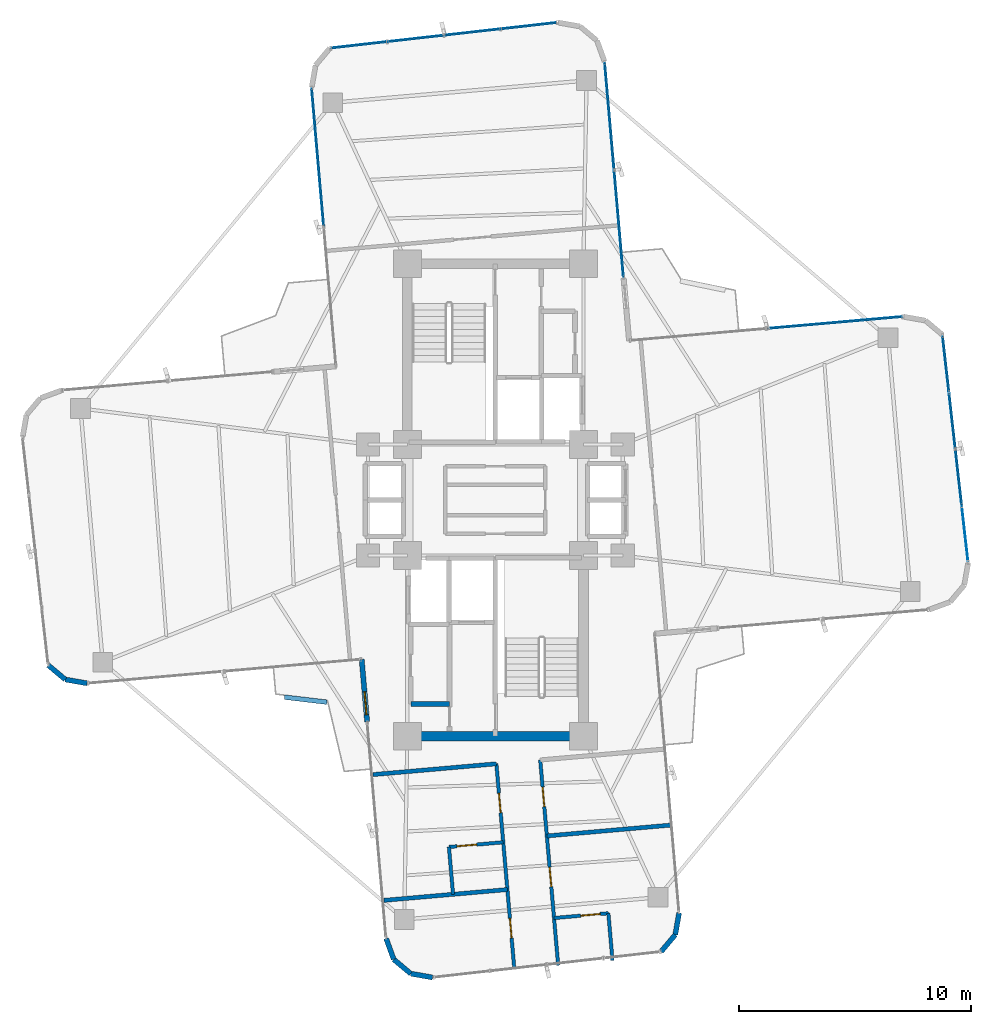
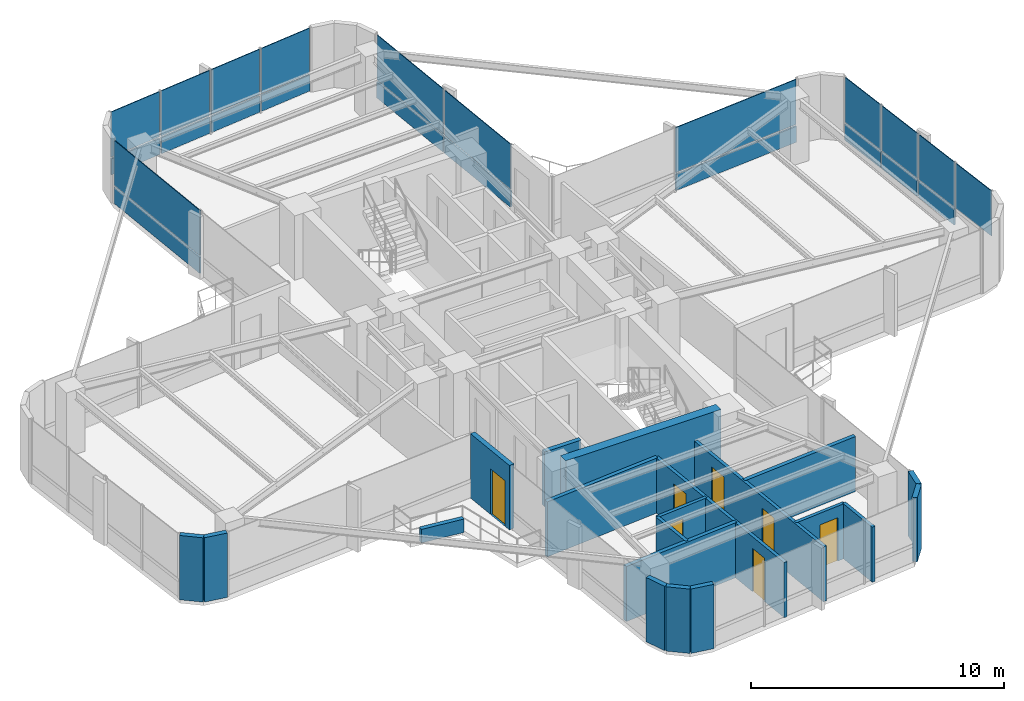
# One storey, part 20 of 24: 23 plates, 20 walls, 7 doors, 7 openings, 5 elements without a shape of their own.
"""IFC4 building model written with IfcOpenShell, lengths in metres."""

from ifc_helpers import new_model, si_unit, direction, frame, frame_2d, origin, origin_2d, place, context, subcontext, project, spatial, rectangle, extrude, source, transform, mapped, material, layer, layer_set, type_object, element, fill, aggregate, save


model = new_model("IFC4")

# Units and contexts
model_context = context("Model", 3, precision=1e-05, world=origin(), true_north=direction((0.0, 1.0)))
body_context = subcontext(model_context, "Body", "Model", "MODEL_VIEW")
ifc_project = project(units=[si_unit("LENGTHUNIT", "METRE"), si_unit("AREAUNIT", "SQUARE_METRE"), si_unit("VOLUMEUNIT", "CUBIC_METRE"), si_unit("PLANEANGLEUNIT", "RADIAN"), si_unit("MASSUNIT", "GRAM", prefix="KILO")], contexts=[model_context])

# Site, building, storey
site_placement = place(None, origin())
site = spatial("IfcSite", under=ifc_project, at=site_placement, CompositionType="ELEMENT")
building_placement = place(site_placement, origin())
building = spatial("IfcBuilding", under=site, at=building_placement, Name="Sahyath Konkavel Grand Hotel", CompositionType="ELEMENT")
storey_placement = place(building_placement, frame((0.0, 0.0, 185.25)))
storey = spatial("IfcBuildingStorey", under=building, at=storey_placement, Name="L51", CompositionType="ELEMENT", Elevation=185.25)

# Curtain wall, plates
ifc_material_1 = material(Name="Anodised Bronze Aluminium & Low-E Glazing", Category="aluminium")
curtain_wall_type = type_object("IfcCurtainWallType", Name="CW-ZONE3", PredefinedType="NOTDEFINED", material=ifc_material_1)
curtain_wall_1_placement = place(storey_placement, origin())
curtain_wall_1 = element("IfcCurtainWall", 1, at=curtain_wall_1_placement, inside=storey, type_object=curtain_wall_type, Name="L51 Unitised Curtain Wall F4", PredefinedType="NOTDEFINED")
ifc_material_2 = material(Name="Warm Buff Sandstone Cladding", Category="masonry")
ifc_layer_1 = layer(ifc_material_2, 0.074951171875)
ifc_layer_set_1 = layer_set([ifc_layer_1], Name="Warm Buff Sandstone Cladding")
plate_type_1 = type_object("IfcPlateType", Name="PNL-SPANDREL-STONE", PredefinedType="SHEET", material=ifc_layer_set_1)
shared_shape_1 = source(origin(), body_context, "Body", "SweptSolid", [
    extrude(rectangle(XDim=2.382080078125, YDim=0.074951171875, at=origin_2d()), origin(), (0.0, 0.0, 1.0), 0.77001953125),
])
plate_1_placement = place(storey_placement, frame((19.99755859375, 0.978515625, 0.0400390625), z_axis=(0.0, 0.0, 1.0), x_axis=(-0.111989252568, 0.993709417943, 0.0)))
plate_1 = element("IfcPlate", 2, at=plate_1_placement, type_object=plate_type_1, Name="L51 Sandstone Relief Spandrel Panel F4-1", PredefinedType="SHEET", context=body_context, shape_type="MappedRepresentation", body=[
    mapped(shared_shape_1, transform((0.0, 0.0, 0.0), scale=1.0)),
])
plate_2_placement = place(storey_placement, frame((19.7216796875, 3.425048828125, 0.0400390625), z_axis=(0.0, 0.0, 1.0), x_axis=(-0.111989252568, 0.993709417943, 0.0)))
plate_2 = element("IfcPlate", 3, at=plate_2_placement, type_object=plate_type_1, Name="L51 Sandstone Relief Spandrel Panel F4-2", PredefinedType="SHEET", context=body_context, shape_type="MappedRepresentation", body=[
    mapped(shared_shape_1, transform((0.0, 0.0, 0.0), scale=1.0)),
])
plate_3_placement = place(storey_placement, frame((19.446044921875, 5.87158203125, 0.0400390625), z_axis=(0.0, 0.0, 1.0), x_axis=(-0.111989252568, 0.993709417943, 0.0)))
plate_3 = element("IfcPlate", 4, at=plate_3_placement, type_object=plate_type_1, Name="L51 Sandstone Relief Spandrel Panel F4-3", PredefinedType="SHEET", context=body_context, shape_type="MappedRepresentation", body=[
    mapped(shared_shape_1, transform((0.0, 0.0, 0.0), scale=1.0)),
])

curtain_wall_2_placement = place(storey_placement, origin())
curtain_wall_2 = element("IfcCurtainWall", 5, at=curtain_wall_2_placement, inside=storey, type_object=curtain_wall_type, Name="L51 Unitised Curtain Wall F12", PredefinedType="NOTDEFINED")
plate_4_placement = place(storey_placement, frame((1.45068359375, 20.47265625, 0.0400390625), z_axis=(0.0, 0.0, 1.0), x_axis=(-0.993707463211, -0.112006596052, 0.0)))
plate_4 = element("IfcPlate", 6, at=plate_4_placement, type_object=plate_type_1, Name="L51 Sandstone Relief Spandrel Panel F12-0", PredefinedType="SHEET", context=body_context, shape_type="MappedRepresentation", body=[
    mapped(shared_shape_1, transform((0.0, 0.0, 0.0), scale=1.0)),
])
plate_5_placement = place(storey_placement, frame((-0.995849609375, 20.197021484375, 0.0400390625), z_axis=(0.0, 0.0, 1.0), x_axis=(-0.993707463211, -0.112006596052, 0.0)))
plate_5 = element("IfcPlate", 7, at=plate_5_placement, type_object=plate_type_1, Name="L51 Sandstone Relief Spandrel Panel F12-1", PredefinedType="SHEET", context=body_context, shape_type="MappedRepresentation", body=[
    mapped(shared_shape_1, transform((0.0, 0.0, 0.0), scale=1.0)),
])
plate_6_placement = place(storey_placement, frame((-3.4423828125, 19.921142578125, 0.0400390625), z_axis=(0.0, 0.0, 1.0), x_axis=(-0.993707463211, -0.112006596052, 0.0)))
plate_6 = element("IfcPlate", 8, at=plate_6_placement, type_object=plate_type_1, Name="L51 Sandstone Relief Spandrel Panel F12-2", PredefinedType="SHEET", context=body_context, shape_type="MappedRepresentation", body=[
    mapped(shared_shape_1, transform((0.0, 0.0, 0.0), scale=1.0)),
])
plate_7_placement = place(storey_placement, frame((-5.888916015625, 19.6455078125, 0.0400390625), z_axis=(0.0, 0.0, 1.0), x_axis=(-0.993707463211, -0.112006596052, 0.0)))
plate_7 = element("IfcPlate", 9, at=plate_7_placement, type_object=plate_type_1, Name="L51 Sandstone Relief Spandrel Panel F12-3", PredefinedType="SHEET", context=body_context, shape_type="MappedRepresentation", body=[
    mapped(shared_shape_1, transform((0.0, 0.0, 0.0), scale=1.0)),
])

# Curtain wall, plate
curtain_wall_3_placement = place(storey_placement, origin())
curtain_wall_3 = element("IfcCurtainWall", 10, at=curtain_wall_3_placement, inside=storey, type_object=curtain_wall_type, Name="L51 Unitised Curtain Wall F7", PredefinedType="NOTDEFINED")
shared_shape_2 = source(origin(), body_context, "Body", "SweptSolid", [
    extrude(rectangle(XDim=5.830078125, YDim=0.074951171875, at=origin_2d()), origin(), (0.0, 0.0, 1.0), 0.77001953125),
])
plate_8_placement = place(storey_placement, frame((14.6435546875, 7.655517578125, 0.0400390625), z_axis=(0.0, 0.0, 1.0), x_axis=(-0.996194698092, -0.087155742748, 0.0)))
plate_8 = element("IfcPlate", 11, at=plate_8_placement, type_object=plate_type_1, Name="L51 Sandstone Relief Spandrel Panel F7-0", PredefinedType="SHEET", context=body_context, shape_type="MappedRepresentation", body=[
    mapped(shared_shape_2, transform((0.0, 0.0, 0.0), scale=1.0)),
])

# Curtain wall, plates
curtain_wall_4_placement = place(storey_placement, origin())
curtain_wall_4 = element("IfcCurtainWall", 12, at=curtain_wall_4_placement, inside=storey, type_object=curtain_wall_type, Name="L51 Unitised Curtain Wall F8", PredefinedType="NOTDEFINED")
shared_shape_3 = source(origin(), body_context, "Body", "SweptSolid", [
    extrude(rectangle(XDim=4.580078125, YDim=0.074951171875, at=origin_2d()), origin(), (0.0, 0.0, 1.0), 0.77001953125),
])
plate_9_placement = place(storey_placement, frame((5.33056640625, 11.929931640625, 0.0400390625), z_axis=(0.0, 0.0, 1.0), x_axis=(-0.087155742748, 0.996194698092, 0.0)))
plate_9 = element("IfcPlate", 13, at=plate_9_placement, type_object=plate_type_1, Name="L51 Sandstone Relief Spandrel Panel F8-0", PredefinedType="SHEET", context=body_context, shape_type="MappedRepresentation", body=[
    mapped(shared_shape_3, transform((0.0, 0.0, 0.0), scale=1.0)),
])
plate_10_placement = place(storey_placement, frame((4.92431640625, 16.572265625, 0.0400390625), z_axis=(0.0, 0.0, 1.0), x_axis=(-0.087155742748, 0.996194698092, 0.0)))
plate_10 = element("IfcPlate", 14, at=plate_10_placement, type_object=plate_type_1, Name="L51 Sandstone Relief Spandrel Panel F8-1", PredefinedType="SHEET", context=body_context, shape_type="MappedRepresentation", body=[
    mapped(shared_shape_3, transform((0.0, 0.0, 0.0), scale=1.0)),
])

# Curtain wall, plate
curtain_wall_5_placement = place(storey_placement, origin())
curtain_wall_5 = element("IfcCurtainWall", 15, at=curtain_wall_5_placement, inside=storey, type_object=curtain_wall_type, Name="L51 Unitised Curtain Wall F15", PredefinedType="NOTDEFINED")
shared_shape_4 = source(origin(), body_context, "Body", "SweptSolid", [
    extrude(rectangle(XDim=5.929931640625, YDim=0.074951171875, at=origin_2d()), origin(), (0.0, 0.0, 1.0), 0.77001953125),
])
plate_11_placement = place(storey_placement, frame((-7.66845703125, 14.79296875, 0.0400390625), z_axis=(0.0, 0.0, 1.0), x_axis=(0.087155742748, -0.996194698092, 0.0)))
plate_11 = element("IfcPlate", 16, at=plate_11_placement, type_object=plate_type_1, Name="L51 Sandstone Relief Spandrel Panel F15-0", PredefinedType="SHEET", context=body_context, shape_type="MappedRepresentation", body=[
    mapped(shared_shape_4, transform((0.0, 0.0, 0.0), scale=1.0)),
])

# Plate
ifc_material_3 = material(Name="Low-E Solar Control Double Glazing", Category="glass")
ifc_layer_2 = layer(ifc_material_3, 0.035888671875)
ifc_layer_set_2 = layer_set([ifc_layer_2], Name="Low-E Solar Control Double Glazing")
plate_type_2 = type_object("IfcPlateType", Name="PNL-VISION-LOWE", PredefinedType="CURTAIN_PANEL", material=ifc_layer_set_2)
shared_shape_5 = source(origin(), body_context, "Body", "SweptSolid", [
    extrude(rectangle(XDim=2.382080078125, YDim=0.035888671875, at=origin_2d()), origin(), (0.0, 0.0, 1.0), 2.179931640625),
])
plate_12_placement = place(storey_placement, frame((20.2734375, -1.468017578125, 0.89013671875), z_axis=(0.0, 0.0, 1.0), x_axis=(-0.111989252568, 0.993709417943, 0.0)))
plate_12 = element("IfcPlate", 17, at=plate_12_placement, type_object=plate_type_2, Name="L51 Low-E Vision Glazing Panel F4-0", PredefinedType="CURTAIN_PANEL", context=body_context, shape_type="MappedRepresentation", body=[
    mapped(shared_shape_5, transform((0.0, 0.0, 0.0), scale=1.0)),
])

plate_13_placement = place(storey_placement, frame((19.99755859375, 0.978515625, 0.89013671875), z_axis=(0.0, 0.0, 1.0), x_axis=(-0.111989252568, 0.993709417943, 0.0)))
plate_13 = element("IfcPlate", 18, at=plate_13_placement, type_object=plate_type_2, Name="L51 Low-E Vision Glazing Panel F4-1", PredefinedType="CURTAIN_PANEL", context=body_context, shape_type="MappedRepresentation", body=[
    mapped(shared_shape_5, transform((0.0, 0.0, 0.0), scale=1.0)),
])

plate_14_placement = place(storey_placement, frame((19.7216796875, 3.425048828125, 0.89013671875), z_axis=(0.0, 0.0, 1.0), x_axis=(-0.111989252568, 0.993709417943, 0.0)))
plate_14 = element("IfcPlate", 19, at=plate_14_placement, type_object=plate_type_2, Name="L51 Low-E Vision Glazing Panel F4-2", PredefinedType="CURTAIN_PANEL", context=body_context, shape_type="MappedRepresentation", body=[
    mapped(shared_shape_5, transform((0.0, 0.0, 0.0), scale=1.0)),
])

plate_15_placement = place(storey_placement, frame((19.446044921875, 5.87158203125, 0.89013671875), z_axis=(0.0, 0.0, 1.0), x_axis=(-0.111989252568, 0.993709417943, 0.0)))
plate_15 = element("IfcPlate", 20, at=plate_15_placement, type_object=plate_type_2, Name="L51 Low-E Vision Glazing Panel F4-3", PredefinedType="CURTAIN_PANEL", context=body_context, shape_type="MappedRepresentation", body=[
    mapped(shared_shape_5, transform((0.0, 0.0, 0.0), scale=1.0)),
])

aggregate(curtain_wall_1, [plate_12, plate_1, plate_13, plate_2, plate_14, plate_3, plate_15])

plate_16_placement = place(storey_placement, frame((1.45068359375, 20.47265625, 0.89013671875), z_axis=(0.0, 0.0, 1.0), x_axis=(-0.993707463211, -0.112006596052, 0.0)))
plate_16 = element("IfcPlate", 21, at=plate_16_placement, type_object=plate_type_2, Name="L51 Low-E Vision Glazing Panel F12-0", PredefinedType="CURTAIN_PANEL", context=body_context, shape_type="MappedRepresentation", body=[
    mapped(shared_shape_5, transform((0.0, 0.0, 0.0), scale=1.0)),
])

plate_17_placement = place(storey_placement, frame((-0.995849609375, 20.197021484375, 0.89013671875), z_axis=(0.0, 0.0, 1.0), x_axis=(-0.993707463211, -0.112006596052, 0.0)))
plate_17 = element("IfcPlate", 22, at=plate_17_placement, type_object=plate_type_2, Name="L51 Low-E Vision Glazing Panel F12-1", PredefinedType="CURTAIN_PANEL", context=body_context, shape_type="MappedRepresentation", body=[
    mapped(shared_shape_5, transform((0.0, 0.0, 0.0), scale=1.0)),
])

plate_18_placement = place(storey_placement, frame((-3.4423828125, 19.921142578125, 0.89013671875), z_axis=(0.0, 0.0, 1.0), x_axis=(-0.993707463211, -0.112006596052, 0.0)))
plate_18 = element("IfcPlate", 23, at=plate_18_placement, type_object=plate_type_2, Name="L51 Low-E Vision Glazing Panel F12-2", PredefinedType="CURTAIN_PANEL", context=body_context, shape_type="MappedRepresentation", body=[
    mapped(shared_shape_5, transform((0.0, 0.0, 0.0), scale=1.0)),
])

plate_19_placement = place(storey_placement, frame((-5.888916015625, 19.6455078125, 0.89013671875), z_axis=(0.0, 0.0, 1.0), x_axis=(-0.993707463211, -0.112006596052, 0.0)))
plate_19 = element("IfcPlate", 24, at=plate_19_placement, type_object=plate_type_2, Name="L51 Low-E Vision Glazing Panel F12-3", PredefinedType="CURTAIN_PANEL", context=body_context, shape_type="MappedRepresentation", body=[
    mapped(shared_shape_5, transform((0.0, 0.0, 0.0), scale=1.0)),
])

aggregate(curtain_wall_2, [plate_4, plate_16, plate_5, plate_17, plate_6, plate_18, plate_7, plate_19])

shared_shape_6 = source(origin(), body_context, "Body", "SweptSolid", [
    extrude(rectangle(XDim=5.830078125, YDim=0.035888671875, at=origin_2d()), origin(), (0.0, 0.0, 1.0), 2.179931640625),
])
plate_20_placement = place(storey_placement, frame((14.6435546875, 7.655517578125, 0.89013671875), z_axis=(0.0, 0.0, 1.0), x_axis=(-0.996194698092, -0.087155742748, 0.0)))
plate_20 = element("IfcPlate", 25, at=plate_20_placement, type_object=plate_type_2, Name="L51 Low-E Vision Glazing Panel F7-0", PredefinedType="CURTAIN_PANEL", context=body_context, shape_type="MappedRepresentation", body=[
    mapped(shared_shape_6, transform((0.0, 0.0, 0.0), scale=1.0)),
])

aggregate(curtain_wall_3, [plate_8, plate_20])

shared_shape_7 = source(origin(), body_context, "Body", "SweptSolid", [
    extrude(rectangle(XDim=4.580078125, YDim=0.035888671875, at=origin_2d()), origin(), (0.0, 0.0, 1.0), 2.179931640625),
])
plate_21_placement = place(storey_placement, frame((5.33056640625, 11.929931640625, 0.89013671875), z_axis=(0.0, 0.0, 1.0), x_axis=(-0.087155742748, 0.996194698092, 0.0)))
plate_21 = element("IfcPlate", 26, at=plate_21_placement, type_object=plate_type_2, Name="L51 Low-E Vision Glazing Panel F8-0", PredefinedType="CURTAIN_PANEL", context=body_context, shape_type="MappedRepresentation", body=[
    mapped(shared_shape_7, transform((0.0, 0.0, 0.0), scale=1.0)),
])

plate_22_placement = place(storey_placement, frame((4.92431640625, 16.572265625, 0.89013671875), z_axis=(0.0, 0.0, 1.0), x_axis=(-0.087155742748, 0.996194698092, 0.0)))
plate_22 = element("IfcPlate", 27, at=plate_22_placement, type_object=plate_type_2, Name="L51 Low-E Vision Glazing Panel F8-1", PredefinedType="CURTAIN_PANEL", context=body_context, shape_type="MappedRepresentation", body=[
    mapped(shared_shape_7, transform((0.0, 0.0, 0.0), scale=1.0)),
])

aggregate(curtain_wall_4, [plate_9, plate_21, plate_10, plate_22])

shared_shape_8 = source(origin(), body_context, "Body", "SweptSolid", [
    extrude(rectangle(XDim=5.929931640625, YDim=0.035888671875, at=origin_2d()), origin(), (0.0, 0.0, 1.0), 2.179931640625),
])
plate_23_placement = place(storey_placement, frame((-7.66845703125, 14.79296875, 0.89013671875), z_axis=(0.0, 0.0, 1.0), x_axis=(0.087155742748, -0.996194698092, 0.0)))
plate_23 = element("IfcPlate", 28, at=plate_23_placement, type_object=plate_type_2, Name="L51 Low-E Vision Glazing Panel F15-0", PredefinedType="CURTAIN_PANEL", context=body_context, shape_type="MappedRepresentation", body=[
    mapped(shared_shape_8, transform((0.0, 0.0, 0.0), scale=1.0)),
])

aggregate(curtain_wall_5, [plate_11, plate_23])

# Walls
ifc_material_4 = material(Name="Concrete C50/60", Category="concrete")
ifc_layer_3 = layer(ifc_material_4, 0.419921875)
ifc_layer_set_3 = layer_set([ifc_layer_3], Name="Concrete C50/60")
wall_type_1 = type_object("IfcWallType", Name="CWALL-420", PredefinedType="SHEAR", material=ifc_layer_set_3)
wall_1_placement = place(storey_placement, frame((-3.550048828125, -10.199951171875, 0.0), z_axis=(0.0, 0.0, 1.0), x_axis=(1.0, 0.0, 0.0)))
element("IfcWall", 29, at=wall_1_placement, inside=storey, type_object=wall_type_1, Name="L51 South Core Shear Wall S", PredefinedType="SHEAR", context=body_context, shape_type="SweptSolid", body=[
    extrude(rectangle(XDim=7.10009765625, YDim=0.419921875, at=frame_2d((3.550048828125, 0.0))), origin(), (0.0, 0.0, 1.0), 3.110107421875),
])
ifc_material_5 = material(Name="Warm Buff Sandstone Insulated Concrete C40/50", Category="masonry")
ifc_layer_4 = layer(ifc_material_5, 0.219970703125)
ifc_layer_set_4 = layer_set([ifc_layer_4], Name="Warm Buff Sandstone Insulated Concrete C40/50")
wall_type_2 = type_object("IfcWallType", Name="WLL-BALC-THRESH", PredefinedType="STANDARD", material=ifc_layer_set_4)
wall_2_placement = place(storey_placement, frame((-19.3037109375, -7.134521484375, 0.0), z_axis=(0.0, 0.0, 1.0), x_axis=(0.766001159887, -0.642839189107, 0.0)))
element("IfcWall", 30, at=wall_2_placement, inside=storey, type_object=wall_type_2, Name="L51 Rounded Corner Sandstone Pier 21", PredefinedType="STANDARD", context=body_context, shape_type="SweptSolid", body=[
    extrude(rectangle(XDim=0.95751953125, YDim=0.219970703125, at=frame_2d((0.478759765625, 0.0))), origin(), (0.0, 0.0, 1.0), 3.110107421875),
])
wall_3_placement = place(storey_placement, frame((-18.5703125, -7.75, 0.0), z_axis=(0.0, 0.0, 1.0), x_axis=(0.984770724397, -0.173858046606, 0.0)))
element("IfcWall", 31, at=wall_3_placement, inside=storey, type_object=wall_type_2, Name="L51 Rounded Corner Sandstone Pier 22", PredefinedType="STANDARD", context=body_context, shape_type="SweptSolid", body=[
    extrude(rectangle(XDim=0.957763671875, YDim=0.219970703125, at=frame_2d((0.47900390625, 0.0))), origin(), (0.0, 0.0, 1.0), 3.110107421875),
])

# Wall, opening, door
wall_4_placement = place(storey_placement, frame((-5.7724609375, -6.87939453125, 0.0), z_axis=(0.0, 0.0, 1.0), x_axis=(0.087168071984, -0.996193619346, 0.0)))
wall_4 = element("IfcWall", 32, at=wall_4_placement, inside=storey, type_object=wall_type_2, Name="L51 Winter-Garden Threshold Wall 24", PredefinedType="STANDARD", context=body_context, shape_type="SweptSolid", body=[
    extrude(rectangle(XDim=2.699951171875, YDim=0.219970703125, at=frame_2d((1.35009765625, 0.0))), origin(), (0.0, 0.0, 1.0), 3.110107421875),
])
opening_1_placement = place(wall_4_placement, frame((1.39990234375, 0.0, 0.0)))
opening_1 = element("IfcOpeningElement", 33, at=opening_1_placement, cuts=wall_4, Name="Opening D-TR1", PredefinedType="OPENING", context=body_context, shape_type="SweptSolid", body=[
    extrude(rectangle(XDim=1.0, YDim=2.199951171875, at=frame_2d((0.5, 1.10009765625))), frame((0.0, 0.1201171875, 0.0), z_axis=(0.0, -1.0, 0.0), x_axis=(1.0, 0.0, 0.0)), (0.0, 0.0, 1.0), 0.239990234375),
])
door_type_1 = type_object("IfcDoorType", Name="DR-TERRACE-1000", OperationType="NOTDEFINED", PredefinedType="DOOR", material=ifc_material_1)
shared_shape_9 = source(origin(), body_context, "Body", "SweptSolid", [
    extrude(rectangle(XDim=1.0, YDim=0.050048828125, at=origin_2d()), origin(), (0.0, 0.0, 1.0), 2.199951171875),
])
door_1_placement = place(opening_1_placement, frame((0.5, 0.0, 0.0)))
door_1 = element("IfcDoor", 34, at=door_1_placement, inside=storey, type_object=door_type_1, Name="L51 Winter-Garden Terrace Door 24", OperationType="SINGLE_SWING_LEFT", OverallHeight=2.199951171875, OverallWidth=1.0, PredefinedType="DOOR", context=body_context, shape_type="MappedRepresentation", body=[
    mapped(shared_shape_9, transform((0.0, 0.0, 0.0), scale=1.0)),
])
fill(opening_1, door_1)

# Walls
wall_5_placement = place(storey_placement, frame((-4.7177734375, -18.93310546875, 0.0), z_axis=(0.0, 0.0, 1.0), x_axis=(0.34188635151, -0.939741306239, 0.0)))
element("IfcWall", 35, at=wall_5_placement, inside=storey, type_object=wall_type_2, Name="L51 Rounded Corner Sandstone Pier 25", PredefinedType="STANDARD", context=body_context, shape_type="SweptSolid", body=[
    extrude(rectangle(XDim=0.95751953125, YDim=0.219970703125, at=frame_2d((0.478759765625, 0.0))), origin(), (0.0, 0.0, 1.0), 3.110107421875),
])
for number, where, z_axis, x_axis, name in (
    (36, (-4.390380859375, -19.8330078125, 0.0), (0.0, 0.0, 1.0), (0.765980978054, -0.642863236823, 0.0), "L51 Rounded Corner Sandstone Pier 26"),
    (37, (-3.65673828125, -20.44873046875, 0.0), (0.0, 0.0, 1.0), (0.984814340885, -0.173610811841, 0.0), "L51 Rounded Corner Sandstone Pier 27"),
):
    element("IfcWall", number, at=place(storey_placement, frame(where, z_axis=z_axis, x_axis=x_axis)), inside=storey, type_object=wall_type_2, Name=name, PredefinedType="STANDARD", context=body_context, shape_type="SweptSolid", body=[
        extrude(rectangle(XDim=0.957763671875, YDim=0.219970703125, at=frame_2d((0.47900390625, 0.0))), origin(), (0.0, 0.0, 1.0), 3.110107421875),
    ])
for number, where, z_axis, x_axis, name in (
    (38, (7.152099609375, -19.5029296875, 0.0), (0.0, 0.0, 1.0), (0.642713642115, 0.766106503196, 0.0), "L51 Rounded Corner Sandstone Pier 29"),
    (39, (7.767578125, -18.769287109375, 0.0), (0.0, 0.0, 1.0), (0.173654409999, 0.984806654064, 0.0), "L51 Rounded Corner Sandstone Pier 30"),
):
    element("IfcWall", number, at=place(storey_placement, frame(where, z_axis=z_axis, x_axis=x_axis)), inside=storey, type_object=wall_type_2, Name=name, PredefinedType="STANDARD", context=body_context, shape_type="SweptSolid", body=[
        extrude(rectangle(XDim=0.95751953125, YDim=0.219970703125, at=frame_2d((0.478759765625, 0.0))), origin(), (0.0, 0.0, 1.0), 3.110107421875),
    ])
ifc_material_6 = material(Name="Concrete C40/50", Category="concrete")
ifc_layer_5 = layer(ifc_material_6, 0.199951171875)
ifc_layer_set_5 = layer_set([ifc_layer_5], Name="Concrete C40/50")
wall_type_3 = type_object("IfcWallType", Name="WLL-CORE-200", PredefinedType="SOLIDWALL", material=ifc_layer_set_5)
wall_6_placement = place(storey_placement, frame((-3.64990234375, -8.81005859375, 0.0), z_axis=(0.0, 0.0, 1.0), x_axis=(1.0, 0.0, 0.0)))
element("IfcWall", 40, at=wall_6_placement, inside=storey, type_object=wall_type_3, Name="L51 Partition SC-REC-S", PredefinedType="SOLIDWALL", context=body_context, shape_type="SweptSolid", body=[
    extrude(rectangle(XDim=1.669921875, YDim=0.199951171875, at=frame_2d((0.8349609375, 0.0))), origin(), (0.0, 0.0, 1.0), 2.659912109375),
])
ifc_material_7 = material(Name="Twin-Stud Acoustic Gypsum Plasterboard Partition")
ifc_layer_6 = layer(ifc_material_7, 0.179931640625)
ifc_layer_set_6 = layer_set([ifc_layer_6], Name="Twin-Stud Acoustic Gypsum Plasterboard Partition")
wall_type_4 = type_object("IfcWallType", Name="WLL-DEMISE-180", PredefinedType="PARTITIONING", material=ifc_layer_set_6)
for number, where, z_axis, x_axis, name in (
    (41, (-5.286865234375, -11.85595703125, 0.0), (0.0, 0.0, 1.0), (0.996194212812, 0.087161289348, 0.0), "L51 Partition S-INR"),
    (42, (2.22265625, -14.50439453125, 0.0), (0.0, 0.0, 1.0), (0.996194212812, 0.087161289348, 0.0), "L51 Partition S-S1L-DEM"),
    (43, (0.517822265625, -16.81884765625, 0.0), (0.0, 0.0, 1.0), (-0.996194212812, -0.087161289348, 0.0), "L51 Partition S-S1R-DEM"),
):
    element("IfcWall", number, at=place(storey_placement, frame(where, z_axis=z_axis, x_axis=x_axis)), inside=storey, type_object=wall_type_4, Name=name, PredefinedType="PARTITIONING", context=body_context, shape_type="SweptSolid", body=[
        extrude(rectangle(XDim=5.349853515625, YDim=0.179931640625, at=frame_2d((2.6748046875, 0.0))), origin(), (0.0, 0.0, 1.0), 2.659912109375),
    ])

# Wall, openings, doors
ifc_material_8 = material(Name="Fire-Rated Gypsum Plasterboard Partition")
ifc_layer_7 = layer(ifc_material_8, 0.14990234375)
ifc_layer_set_7 = layer_set([ifc_layer_7], Name="Fire-Rated Gypsum Plasterboard Partition")
wall_type_5 = type_object("IfcWallType", Name="WLL-PART-150", PredefinedType="PARTITIONING", material=ifc_layer_set_7)
wall_7_placement = place(storey_placement, frame((1.935546875, -11.22412109375, 0.0), z_axis=(0.0, 0.0, 1.0), x_axis=(0.087151636982, -0.996195057291, 0.0)))
wall_7 = element("IfcWall", 44, at=wall_7_placement, inside=storey, type_object=wall_type_5, Name="L51 Partition S-CL", PredefinedType="PARTITIONING", context=body_context, shape_type="SweptSolid", body=[
    extrude(rectangle(XDim=8.89990234375, YDim=0.14990234375, at=frame_2d((4.449951171875, 0.0))), origin(), (0.0, 0.0, 1.0), 2.659912109375),
])
opening_2_placement = place(wall_7_placement, frame((1.172119140625, 0.0, 0.0)))
opening_2 = element("IfcOpeningElement", 45, at=opening_2_placement, cuts=wall_7, Name="Opening D-F06D", PredefinedType="OPENING", context=body_context, shape_type="SweptSolid", body=[
    extrude(rectangle(XDim=0.85009765625, YDim=2.10009765625, at=frame_2d((0.425048828125, 1.050048828125))), frame((0.0, 0.0849609375, 0.0), z_axis=(0.0, -1.0, 0.0), x_axis=(1.0, 0.0, 0.0)), (0.0, 0.0, 1.0), 0.169921875),
])
opening_3_placement = place(wall_7_placement, frame((4.64697265625, 0.0, 0.0)))
opening_3 = element("IfcOpeningElement", 46, at=opening_3_placement, cuts=wall_7, Name="Opening D-F06D", PredefinedType="OPENING", context=body_context, shape_type="SweptSolid", body=[
    extrude(rectangle(XDim=0.85009765625, YDim=2.10009765625, at=frame_2d((0.425048828125, 1.050048828125))), frame((0.0, 0.0849609375, 0.0), z_axis=(0.0, -1.0, 0.0), x_axis=(1.0, 0.0, 0.0)), (0.0, 0.0, 1.0), 0.169921875),
])
ifc_material_9 = material(Name="Fire-Rated Shaft Access Door")
door_type_2 = type_object("IfcDoorType", Name="DR-FD60-850", OperationType="NOTDEFINED", PredefinedType="DOOR", material=ifc_material_9)
shared_shape_10 = source(origin(), body_context, "Body", "SweptSolid", [
    extrude(rectangle(XDim=0.85009765625, YDim=0.050048828125, at=origin_2d()), origin(), (0.0, 0.0, 1.0), 2.10009765625),
])
door_2_placement = place(opening_2_placement, frame((0.425048828125, 0.0, 0.0)))
door_2 = element("IfcDoor", 47, at=door_2_placement, inside=storey, type_object=door_type_2, Name="L51 Door S-S1L-D", OperationType="SINGLE_SWING_RIGHT", OverallHeight=2.10009765625, OverallWidth=0.85009765625, PredefinedType="DOOR", context=body_context, shape_type="MappedRepresentation", body=[
    mapped(shared_shape_10, transform((0.0, 0.0, 0.0), scale=1.0)),
])
fill(opening_2, door_2)
door_3_placement = place(opening_3_placement, frame((0.425048828125, 0.0, 0.0)))
door_3 = element("IfcDoor", 48, at=door_3_placement, inside=storey, type_object=door_type_2, Name="L51 Door S-S2L-ED", OperationType="SINGLE_SWING_RIGHT", OverallHeight=2.10009765625, OverallWidth=0.85009765625, PredefinedType="DOOR", context=body_context, shape_type="MappedRepresentation", body=[
    mapped(shared_shape_10, transform((0.0, 0.0, 0.0), scale=1.0)),
])
fill(opening_3, door_3)

wall_8_placement = place(storey_placement, frame((0.042724609375, -11.3896484375, 0.0), z_axis=(0.0, 0.0, 1.0), x_axis=(0.087178860582, -0.996192675273, 0.0)))
wall_8 = element("IfcWall", 49, at=wall_8_placement, inside=storey, type_object=wall_type_5, Name="L51 Partition S-CR", PredefinedType="PARTITIONING", context=body_context, shape_type="SweptSolid", body=[
    extrude(rectangle(XDim=8.89990234375, YDim=0.14990234375, at=frame_2d((4.449951171875, 0.0))), origin(), (0.0, 0.0, 1.0), 2.659912109375),
])
opening_4_placement = place(wall_8_placement, frame((1.27490234375, 0.0, 0.0)))
opening_4 = element("IfcOpeningElement", 50, at=opening_4_placement, cuts=wall_8, Name="Opening D-F06D", PredefinedType="OPENING", context=body_context, shape_type="SweptSolid", body=[
    extrude(rectangle(XDim=0.85009765625, YDim=2.10009765625, at=frame_2d((0.425048828125, 1.050048828125))), frame((0.0, 0.0849609375, 0.0), z_axis=(0.0, -1.0, 0.0), x_axis=(1.0, 0.0, 0.0)), (0.0, 0.0, 1.0), 0.169921875),
])
opening_5_placement = place(wall_8_placement, frame((6.699951171875, 0.0, 0.0)))
opening_5 = element("IfcOpeningElement", 51, at=opening_5_placement, cuts=wall_8, Name="Opening D-F06D", PredefinedType="OPENING", context=body_context, shape_type="SweptSolid", body=[
    extrude(rectangle(XDim=0.85009765625, YDim=2.10009765625, at=frame_2d((0.425048828125, 1.050048828125))), frame((0.0, 0.0849609375, 0.0), z_axis=(0.0, -1.0, 0.0), x_axis=(1.0, 0.0, 0.0)), (0.0, 0.0, 1.0), 0.169921875),
])
door_4_placement = place(opening_4_placement, frame((0.425048828125, 0.0, 0.0)))
door_4 = element("IfcDoor", 52, at=door_4_placement, inside=storey, type_object=door_type_2, Name="L51 Door S-S1R-ED", OperationType="SINGLE_SWING_RIGHT", OverallHeight=2.10009765625, OverallWidth=0.85009765625, PredefinedType="DOOR", context=body_context, shape_type="MappedRepresentation", body=[
    mapped(shared_shape_10, transform((0.0, 0.0, 0.0), scale=1.0)),
])
fill(opening_4, door_4)
door_5_placement = place(opening_5_placement, frame((0.425048828125, 0.0, 0.0)))
door_5 = element("IfcDoor", 53, at=door_5_placement, inside=storey, type_object=door_type_2, Name="L51 Door S-S2R-D", OperationType="SINGLE_SWING_LEFT", OverallHeight=2.10009765625, OverallWidth=0.85009765625, PredefinedType="DOOR", context=body_context, shape_type="MappedRepresentation", body=[
    mapped(shared_shape_10, transform((0.0, 0.0, 0.0), scale=1.0)),
])
fill(opening_5, door_5)

# Wall, opening, door
wall_9_placement = place(storey_placement, frame((2.53271484375, -18.0478515625, 0.0), z_axis=(0.0, 0.0, 1.0), x_axis=(0.996197656711, 0.087121918963, 0.0)))
wall_9 = element("IfcWall", 54, at=wall_9_placement, inside=storey, type_object=wall_type_5, Name="L51 Partition S-S2L-BS", PredefinedType="PARTITIONING", context=body_context, shape_type="SweptSolid", body=[
    extrude(rectangle(XDim=2.35400390625, YDim=0.14990234375, at=frame_2d((1.177001953125, 0.0))), origin(), (0.0, 0.0, 1.0), 2.659912109375),
])
opening_6_placement = place(wall_9_placement, frame((1.154052734375, 0.0, 0.0)))
opening_6 = element("IfcOpeningElement", 55, at=opening_6_placement, cuts=wall_9, Name="Opening D-BT85", PredefinedType="OPENING", context=body_context, shape_type="SweptSolid", body=[
    extrude(rectangle(XDim=0.85009765625, YDim=2.10009765625, at=frame_2d((0.425048828125, 1.050048828125))), frame((0.0, 0.0849609375, 0.0), z_axis=(0.0, -1.0, 0.0), x_axis=(1.0, 0.0, 0.0)), (0.0, 0.0, 1.0), 0.169921875),
])
ifc_material_10 = material(Name="Moisture-Resistant Teak Bathroom Door")
door_type_3 = type_object("IfcDoorType", Name="DR-BATH-850", OperationType="NOTDEFINED", PredefinedType="DOOR", material=ifc_material_10)
door_6_placement = place(opening_6_placement, frame((0.425048828125, 0.0, 0.0)))
door_6 = element("IfcDoor", 56, at=door_6_placement, inside=storey, type_object=door_type_3, Name="L51 Door S-S2L-BD", OperationType="SINGLE_SWING_LEFT", OverallHeight=2.10009765625, OverallWidth=0.85009765625, PredefinedType="DOOR", context=body_context, shape_type="MappedRepresentation", body=[
    mapped(shared_shape_10, transform((0.0, 0.0, 0.0), scale=1.0)),
])
fill(opening_6, door_6)

# Wall
wall_10_placement = place(storey_placement, frame((4.877685546875, -17.8427734375, 0.0), z_axis=(0.0, 0.0, 1.0), x_axis=(0.087174336889, -0.99619307114, 0.0)))
element("IfcWall", 57, at=wall_10_placement, inside=storey, type_object=wall_type_5, Name="L51 Partition S-S2L-BF", PredefinedType="PARTITIONING", context=body_context, shape_type="SweptSolid", body=[
    extrude(rectangle(XDim=2.050048828125, YDim=0.14990234375, at=frame_2d((1.02490234375, 0.0))), origin(), (0.0, 0.0, 1.0), 2.659912109375),
])

# Wall, opening, door
wall_11_placement = place(storey_placement, frame((0.339111328125, -14.776611328125, 0.0), z_axis=(0.0, 0.0, 1.0), x_axis=(-0.996197656711, -0.087121918963, 0.0)))
wall_11 = element("IfcWall", 58, at=wall_11_placement, inside=storey, type_object=wall_type_5, Name="L51 Partition S-S1R-BS", PredefinedType="PARTITIONING", context=body_context, shape_type="SweptSolid", body=[
    extrude(rectangle(XDim=2.35400390625, YDim=0.14990234375, at=frame_2d((1.177001953125, 0.0))), origin(), (0.0, 0.0, 1.0), 2.659912109375),
])
opening_7_placement = place(wall_11_placement, frame((1.154052734375, 0.0, 0.0)))
opening_7 = element("IfcOpeningElement", 59, at=opening_7_placement, cuts=wall_11, Name="Opening D-BT85", PredefinedType="OPENING", context=body_context, shape_type="SweptSolid", body=[
    extrude(rectangle(XDim=0.85009765625, YDim=2.10009765625, at=frame_2d((0.425048828125, 1.050048828125))), frame((0.0, 0.0849609375, 0.0), z_axis=(0.0, -1.0, 0.0), x_axis=(1.0, 0.0, 0.0)), (0.0, 0.0, 1.0), 0.169921875),
])
door_7_placement = place(opening_7_placement, frame((0.425048828125, 0.0, 0.0)))
door_7 = element("IfcDoor", 60, at=door_7_placement, inside=storey, type_object=door_type_3, Name="L51 Door S-S1R-BD", OperationType="SINGLE_SWING_LEFT", OverallHeight=2.10009765625, OverallWidth=0.85009765625, PredefinedType="DOOR", context=body_context, shape_type="MappedRepresentation", body=[
    mapped(shared_shape_10, transform((0.0, 0.0, 0.0), scale=1.0)),
])
fill(opening_7, door_7)

# Walls
wall_12_placement = place(storey_placement, frame((-2.005859375, -14.981689453125, 0.0), z_axis=(0.0, 0.0, 1.0), x_axis=(0.087174336889, -0.99619307114, 0.0)))
element("IfcWall", 61, at=wall_12_placement, inside=storey, type_object=wall_type_5, Name="L51 Partition S-S1R-BF", PredefinedType="PARTITIONING", context=body_context, shape_type="SweptSolid", body=[
    extrude(rectangle(XDim=2.050048828125, YDim=0.14990234375, at=frame_2d((1.02490234375, 0.0))), origin(), (0.0, 0.0, 1.0), 2.659912109375),
])
ifc_material_11 = material(Name="Warm Buff Sandstone Planter Wall", Category="masonry")
ifc_layer_8 = layer(ifc_material_11, 0.199951171875)
ifc_layer_set_8 = layer_set([ifc_layer_8], Name="Warm Buff Sandstone Planter Wall")
wall_type_6 = type_object("IfcWallType", Name="WLL-PLANTER-200", PredefinedType="PARAPET", material=ifc_layer_set_8)
wall_13_placement = place(storey_placement, frame((-9.103759765625, -8.512451171875, 0.0), z_axis=(0.0, 0.0, 1.0), x_axis=(0.993023408226, -0.117917389369, 0.0)))
element("IfcWall", 62, at=wall_13_placement, inside=storey, type_object=wall_type_6, Name="L51 Sky-Garden Stone Planter PLANTER SW", PredefinedType="PARAPET", context=body_context, shape_type="SweptSolid", body=[
    extrude(rectangle(XDim=1.8427734375, YDim=0.199951171875, at=frame_2d((0.92138671875, 0.0))), origin(), (0.0, 0.0, 1.0), 0.64990234375),
])

save(model, "model.ifc")
